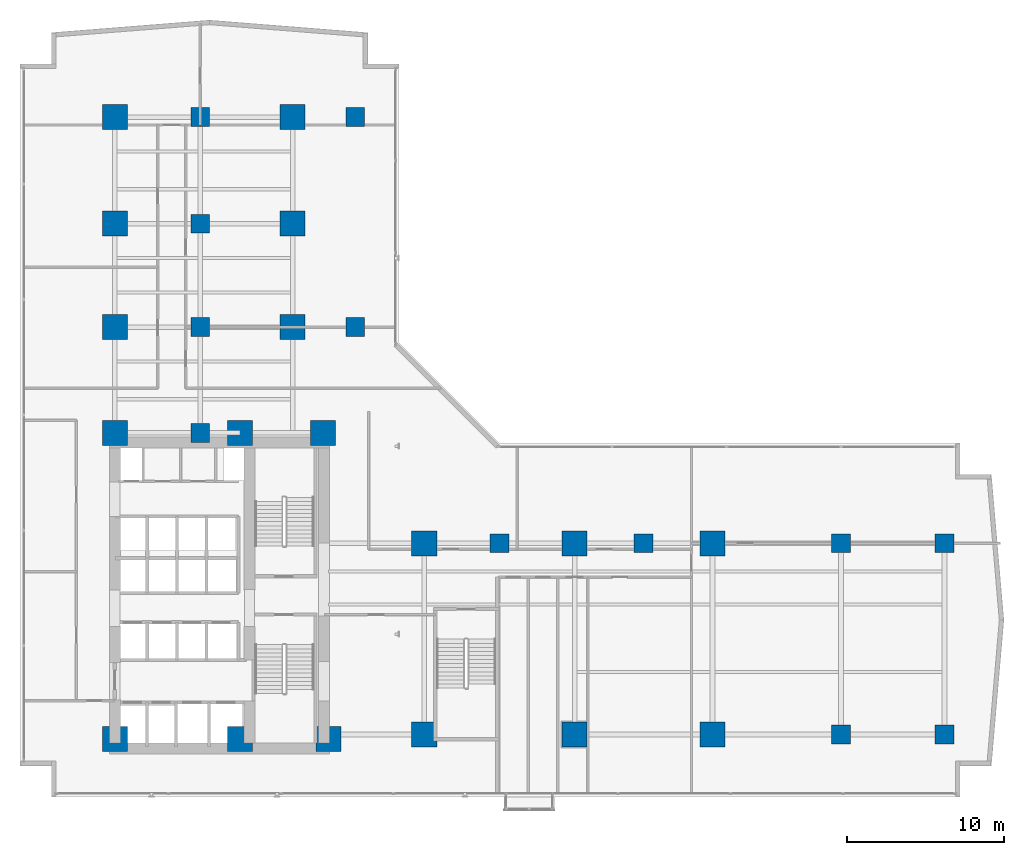
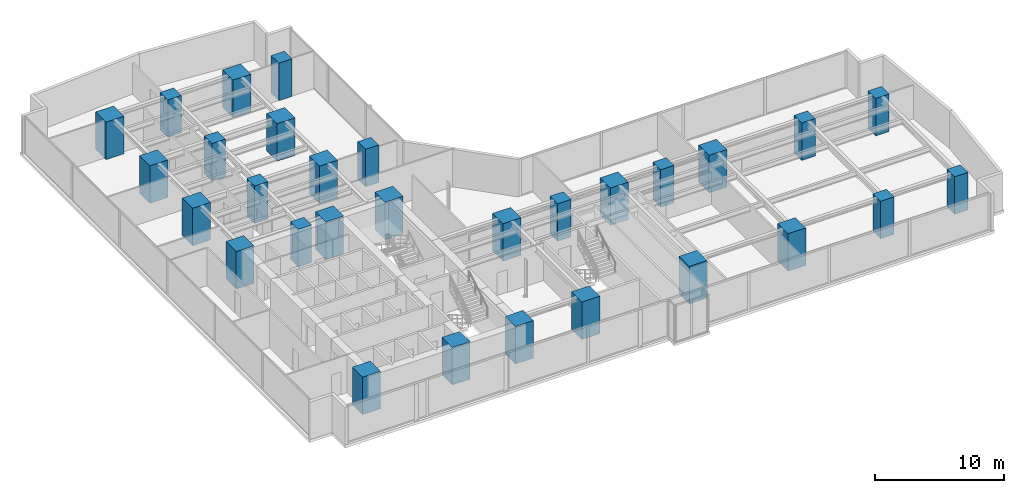
# One storey, part 1 of 29: 30 columns.
"""IFC4 building model written with IfcOpenShell, lengths in metres."""

from ifc_helpers import new_model, si_unit, direction, frame, origin, origin_2d, place, context, subcontext, project, spatial, rectangle, extrude, material, material_profile, profile_set, type_object, element, save


model = new_model("IFC4")

# Units and contexts
model_context = context("Model", 3, precision=1e-05, world=origin(), true_north=direction((0.0, 1.0)))
body_context = subcontext(model_context, "Body", "Model", "MODEL_VIEW")
ifc_project = project(units=[si_unit("LENGTHUNIT", "METRE"), si_unit("AREAUNIT", "SQUARE_METRE"), si_unit("VOLUMEUNIT", "CUBIC_METRE"), si_unit("PLANEANGLEUNIT", "RADIAN"), si_unit("MASSUNIT", "GRAM", prefix="KILO")], contexts=[model_context])

# Site, building, storey
site_placement = place(None, origin())
site = spatial("IfcSite", under=ifc_project, at=site_placement, CompositionType="ELEMENT")
building_placement = place(site_placement, origin())
building = spatial("IfcBuilding", under=site, at=building_placement, Name="Kolvaren Waterfront Exchange", CompositionType="ELEMENT")
storey_placement = place(building_placement, frame((0.0, 0.0, 37.199951171875)))
storey = spatial("IfcBuildingStorey", under=building, at=storey_placement, Name="L09", CompositionType="ELEMENT", Elevation=37.199951171875)

# Columns
ifc_material = material(Name="Concrete C70/85", Category="concrete")
ifc_material_profile_1 = material_profile(ifc_material, rectangle(XDim=1.199951171875, YDim=1.199951171875, at=origin_2d()), Name="RC-COL-1200x1200")
ifc_profile_set_1 = profile_set([ifc_material_profile_1], Name="Concrete C70/85")
column_type_1 = type_object("IfcColumnType", Name="STR-COL-1200-C70", PredefinedType="COLUMN", material=ifc_profile_set_1)
for number, where, z_axis, x_axis, name in (
    (1, (53.800048828125, 5.199951171875, 0.0), (0.0, 0.0, 1.0), (1.0, 0.0, 0.0), "L09 column ZC01"),
    (2, (53.800048828125, 17.39990234375, 0.0), (0.0, 0.0, 1.0), (1.0, 0.0, 0.0), "L09 column ZC02"),
    (3, (60.39990234375, 5.199951171875, 0.0), (0.0, 0.0, 1.0), (1.0, 0.0, 0.0), "L09 column ZC03"),
    (4, (60.39990234375, 17.39990234375, 0.0), (0.0, 0.0, 1.0), (1.0, 0.0, 0.0), "L09 column ZC04"),
    (5, (22.800048828125, 31.199951171875, 0.0), (0.0, 0.0, 1.0), (1.0, 0.0, 0.0), "L09 column ZC05"),
    (6, (22.800048828125, 44.60009765625, 0.0), (0.0, 0.0, 1.0), (1.0, 0.0, 0.0), "L09 column ZC06"),
    (7, (12.89990234375, 24.449951171875, 0.0), (0.0, 0.0, 1.0), (1.0, 0.0, 0.0), "L09 column TC01"),
    (8, (12.89990234375, 31.199951171875, 0.0), (0.0, 0.0, 1.0), (1.0, 0.0, 0.0), "L09 column TC02"),
    (9, (12.89990234375, 37.800048828125, 0.0), (0.0, 0.0, 1.0), (1.0, 0.0, 0.0), "L09 column TC03"),
    (10, (12.89990234375, 44.60009765625, 0.0), (0.0, 0.0, 1.0), (1.0, 0.0, 0.0), "L09 column TC04"),
    (11, (32.0, 17.39990234375, 0.0), (0.0, 0.0, 1.0), (1.0, 0.0, 0.0), "L09 column TC05"),
    (12, (41.199951171875, 17.39990234375, 0.0), (0.0, 0.0, 1.0), (1.0, 0.0, 0.0), "L09 column TC06"),
):
    element("IfcColumn", number, at=place(storey_placement, frame(where, z_axis=z_axis, x_axis=x_axis)), inside=storey, type_object=column_type_1, Name=name, PredefinedType="COLUMN", context=body_context, shape_type="SweptSolid", body=[
        extrude(rectangle(XDim=1.199951171875, YDim=1.199951171875, at=origin_2d()), origin(), (0.0, 0.0, 1.0), 3.5400390625),
    ])
ifc_material_profile_2 = material_profile(ifc_material, rectangle(XDim=1.60009765625, YDim=1.60009765625, at=origin_2d()), Name="RC-COL-1600x1600")
ifc_profile_set_2 = profile_set([ifc_material_profile_2], Name="Concrete C70/85")
column_type_2 = type_object("IfcColumnType", Name="STR-COL-1600-C70", PredefinedType="COLUMN", material=ifc_profile_set_2)
for number, where, z_axis, x_axis, name in (
    (13, (7.449951171875, 4.89990234375, 0.0), (0.0, 0.0, 1.0), (1.0, 0.0, 0.0), "L09 column MC01"),
    (14, (15.449951171875, 4.89990234375, 0.0), (0.0, 0.0, 1.0), (1.0, 0.0, 0.0), "L09 column MC02"),
    (15, (21.10009765625, 4.89990234375, 0.0), (0.0, 0.0, 1.0), (1.0, 0.0, 0.0), "L09 column MC03"),
    (16, (7.449951171875, 24.449951171875, 0.0), (0.0, 0.0, 1.0), (1.0, 0.0, 0.0), "L09 column MC04"),
    (17, (15.449951171875, 24.449951171875, 0.0), (0.0, 0.0, 1.0), (1.0, 0.0, 0.0), "L09 column MC05"),
    (18, (20.75, 24.449951171875, 0.0), (0.0, 0.0, 1.0), (1.0, 0.0, 0.0), "L09 column MC06"),
    (19, (7.449951171875, 31.199951171875, 0.0), (0.0, 0.0, 1.0), (1.0, 0.0, 0.0), "L09 column NC01"),
    (20, (7.449951171875, 37.800048828125, 0.0), (0.0, 0.0, 1.0), (1.0, 0.0, 0.0), "L09 column NC02"),
    (21, (7.449951171875, 44.60009765625, 0.0), (0.0, 0.0, 1.0), (1.0, 0.0, 0.0), "L09 column NC03"),
    (22, (18.800048828125, 31.199951171875, 0.0), (0.0, 0.0, 1.0), (1.0, 0.0, 0.0), "L09 column NC04"),
    (23, (18.800048828125, 37.800048828125, 0.0), (0.0, 0.0, 1.0), (1.0, 0.0, 0.0), "L09 column NC05"),
    (24, (18.800048828125, 44.60009765625, 0.0), (0.0, 0.0, 1.0), (1.0, 0.0, 0.0), "L09 column NC06"),
    (25, (27.199951171875, 5.199951171875, 0.0), (0.0, 0.0, 1.0), (1.0, 0.0, 0.0), "L09 column EC01"),
    (26, (36.800048828125, 5.199951171875, 0.0), (0.0, 0.0, 1.0), (1.0, 0.0, 0.0), "L09 column EC02"),
    (27, (45.60009765625, 5.199951171875, 0.0), (0.0, 0.0, 1.0), (1.0, 0.0, 0.0), "L09 column EC03"),
    (28, (27.199951171875, 17.39990234375, 0.0), (0.0, 0.0, 1.0), (1.0, 0.0, 0.0), "L09 column EC04"),
    (29, (36.800048828125, 17.39990234375, 0.0), (0.0, 0.0, 1.0), (1.0, 0.0, 0.0), "L09 column EC05"),
    (30, (45.60009765625, 17.39990234375, 0.0), (0.0, 0.0, 1.0), (1.0, 0.0, 0.0), "L09 column EC06"),
):
    element("IfcColumn", number, at=place(storey_placement, frame(where, z_axis=z_axis, x_axis=x_axis)), inside=storey, type_object=column_type_2, Name=name, PredefinedType="COLUMN", context=body_context, shape_type="SweptSolid", body=[
        extrude(rectangle(XDim=1.60009765625, YDim=1.60009765625, at=origin_2d()), origin(), (0.0, 0.0, 1.0), 3.5400390625),
    ])

save(model, "model.ifc")
